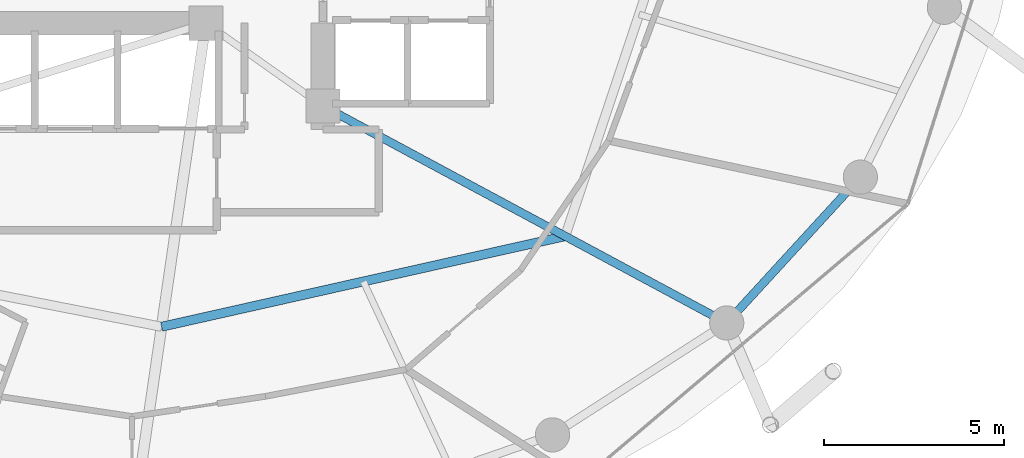
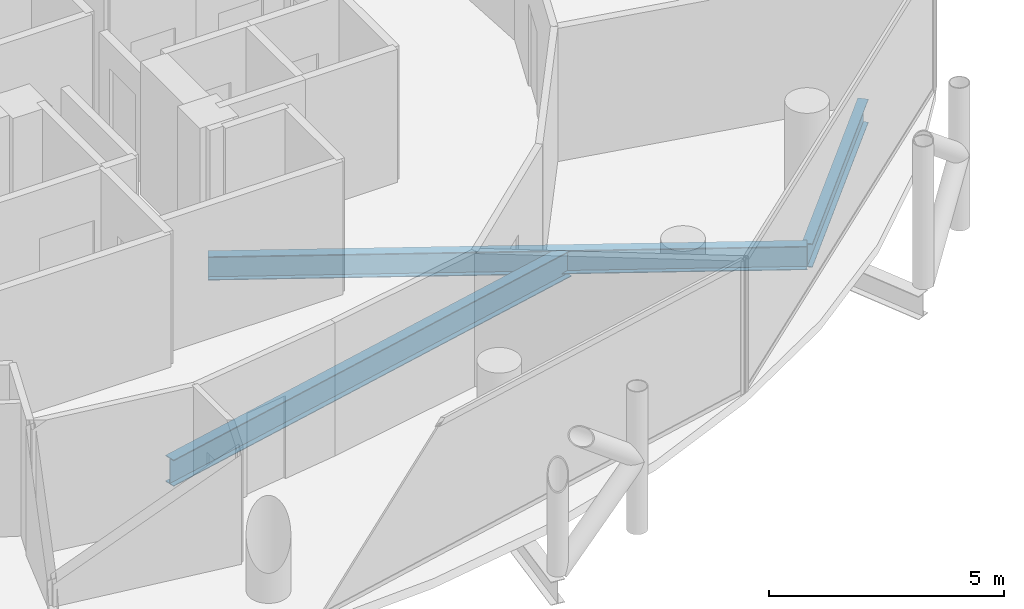
# One storey, part 9 of 26: 3 beams.
"""IFC4 building model written with IfcOpenShell, lengths in metres."""

from ifc_helpers import new_model, si_unit, direction, frame, origin, origin_2d, place, context, subcontext, project, spatial, i_section, extrude, material, material_profile, profile_set, type_object, element, save


model = new_model("IFC4")

# Units and contexts
model_context = context("Model", 3, precision=1e-05, world=origin(), true_north=direction((0.0, 1.0)))
body_context = subcontext(model_context, "Body", "Model", "MODEL_VIEW")
ifc_project = project(units=[si_unit("LENGTHUNIT", "METRE"), si_unit("AREAUNIT", "SQUARE_METRE"), si_unit("VOLUMEUNIT", "CUBIC_METRE"), si_unit("PLANEANGLEUNIT", "RADIAN"), si_unit("MASSUNIT", "GRAM", prefix="KILO")], contexts=[model_context])

# Site, building, storey
site_placement = place(None, origin())
site = spatial("IfcSite", under=ifc_project, at=site_placement, CompositionType="ELEMENT")
building_placement = place(site_placement, origin())
building = spatial("IfcBuilding", under=site, at=building_placement, Name="Nuhasar Tower", CompositionType="ELEMENT")
storey_placement = place(building_placement, frame((0.0, 0.0, 173.75)))
storey = spatial("IfcBuildingStorey", under=building, at=storey_placement, Name="L42", CompositionType="ELEMENT", Elevation=173.75)

# Beams
ifc_material = material(Name="Steel S355", Category="steel")
ifc_material_profile_1 = material_profile(ifc_material, i_section(OverallWidth=0.25390625, OverallDepth=0.68408203125, WebThickness=0.012451171875, FlangeThickness=0.018798828125, at=origin_2d()), Name="W27X94")
ifc_profile_set_1 = profile_set([ifc_material_profile_1], Name="Steel S355")
beam_type_1 = type_object("IfcBeamType", Name="BM-INRING-W27X94", PredefinedType="BEAM", material=ifc_profile_set_1)
beam_1_placement = place(storey_placement, frame((39.820068359375, 12.8701171875, -0.592041015625), z_axis=(0.975716159385, 0.219038755282, 0.0), x_axis=(-0.219038755282, 0.975716159385, 0.0)))
element("IfcBeam", 1, at=beam_1_placement, inside=storey, type_object=beam_type_1, Name="L42 Inner Header Beam 02", PredefinedType="BEAM", context=body_context, shape_type="SweptSolid", body=[
    extrude(i_section(OverallWidth=0.25390625, OverallDepth=0.68408203125, WebThickness=0.012451171875, FlangeThickness=0.018798828125, at=origin_2d()), origin(), (0.0, 0.0, 1.0), 11.48583984375),
])
ifc_material_profile_2 = material_profile(ifc_material, i_section(OverallWidth=0.22900390625, OverallDepth=0.612060546875, WebThickness=0.011962890625, FlangeThickness=0.01953125, at=origin_2d()), Name="W24X84")
ifc_profile_set_2 = profile_set([ifc_material_profile_2], Name="Steel S355")
beam_type_2 = type_object("IfcBeamType", Name="BM-RAD-W24X84", PredefinedType="BEAM", material=ifc_profile_set_2)
beam_2_placement = place(storey_placement, frame((44.300048828125, 19.0, -0.555908203125), z_axis=(0.880888386928, -0.473324043098, 0.0), x_axis=(0.473324043098, 0.880888386928, 0.0)))
element("IfcBeam", 2, at=beam_2_placement, inside=storey, type_object=beam_type_2, Name="L42 Radial Floor Girder 03", PredefinedType="BEAM", context=body_context, shape_type="SweptSolid", body=[
    extrude(i_section(OverallWidth=0.22900390625, OverallDepth=0.612060546875, WebThickness=0.011962890625, FlangeThickness=0.01953125, at=origin_2d()), origin(), (0.0, 0.0, 1.0), 12.726806640625),
])
ifc_material_profile_3 = material_profile(ifc_material, i_section(OverallWidth=0.22998046875, OverallDepth=0.616943359375, WebThickness=0.01318359375, FlangeThickness=0.022216796875, at=origin_2d()), Name="W24X94")
ifc_profile_set_3 = profile_set([ifc_material_profile_3], Name="Steel S355")
beam_type_3 = type_object("IfcBeamType", Name="BM-RING-W24X94", PredefinedType="SPANDREL", material=ifc_profile_set_3)
beam_3_placement = place(storey_placement, frame((55.510986328125, 12.97607421875, -0.55908203125), z_axis=(0.675676316545, 0.737198423262, 0.0), x_axis=(-0.737198423262, 0.675676316545, 0.0)))
element("IfcBeam", 3, at=beam_3_placement, inside=storey, type_object=beam_type_3, Name="L42 Perimeter Ring Spandrel 22", PredefinedType="SPANDREL", context=body_context, shape_type="SweptSolid", body=[
    extrude(i_section(OverallWidth=0.22998046875, OverallDepth=0.616943359375, WebThickness=0.01318359375, FlangeThickness=0.022216796875, at=origin_2d()), origin(), (0.0, 0.0, 1.0), 5.4921875),
])

save(model, "model.ifc")
